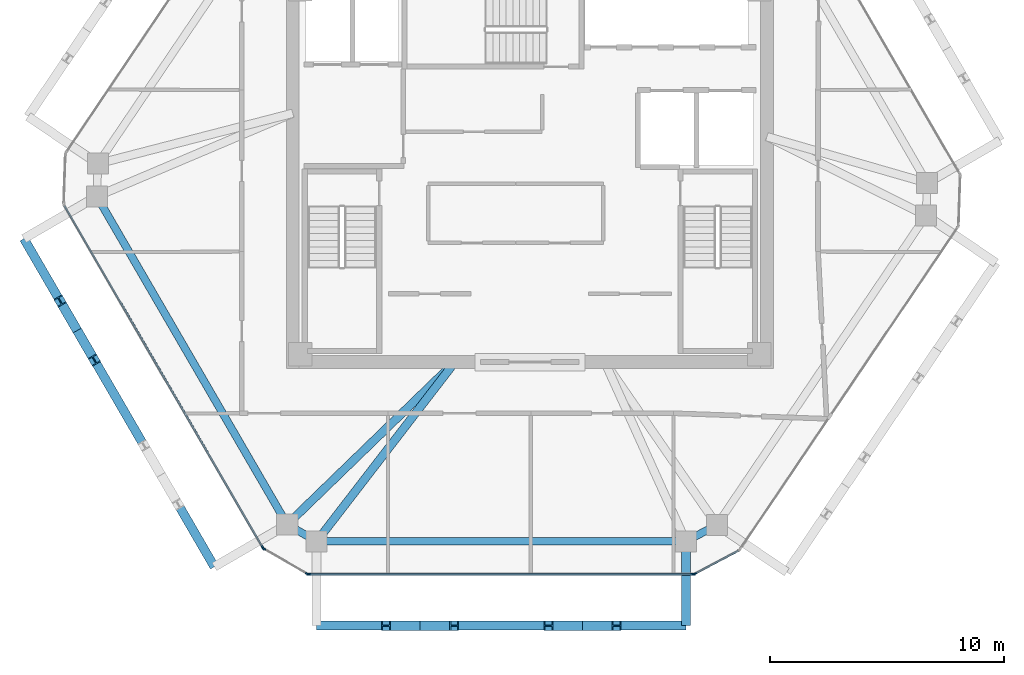
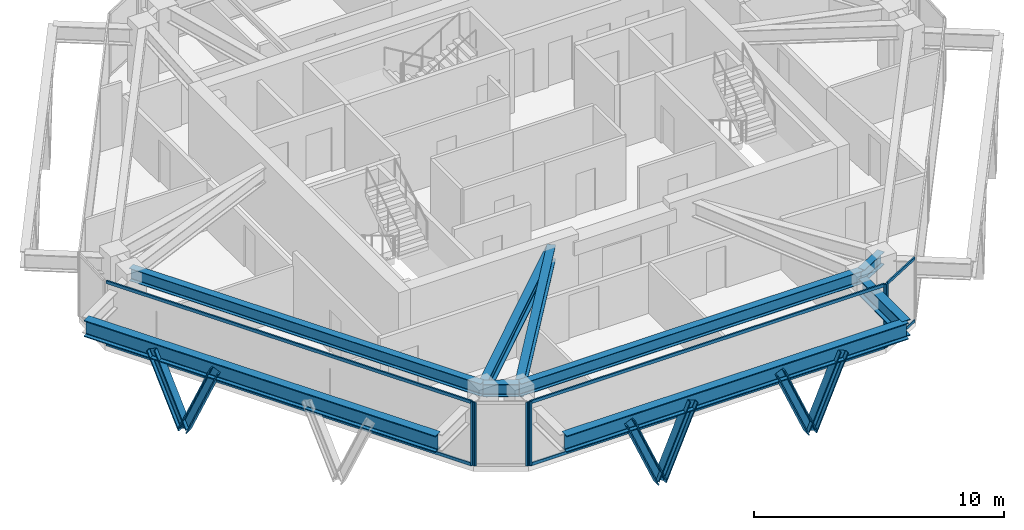
# One storey, part 2 of 11: 18 members, 9 beams, 4 elements without a shape of their own.
"""IFC4 building model written with IfcOpenShell, lengths in metres."""

import ifcopenshell
import ifcopenshell.guid

model = None  # the IFC model being written
_history = None  # IfcOwnerHistory: only IFC2X3 demands one
_inside = {}  # id of a spatial element -> (the spatial element, [elements in it])
_under = {}  # id of a project, library or spatial element -> (it, [spatial elements below it])
_declared = {}  # id of a project -> (the project, [libraries it declares])
_typed = {}  # id of a type object -> (the type object, [elements of that type])
_made_of = {}  # id of a material, layer set ... -> (it, [elements and type objects made of it])


def new_model(schema):
    """Start an empty IFC model of exactly this schema.

    Asked for "IFC4X3", IfcOpenShell would pick the latest addendum, in which some entities
    have other attributes; the version numbers below select the first issue.
    IFC2X3 requires an IfcOwnerHistory on every rooted entity: one is made here for all.
    """
    global model, _history
    if schema == "IFC4X3":
        model = ifcopenshell.file(schema_version=(4, 3, 0, 0))
    else:
        model = ifcopenshell.file(schema=schema)
    _inside.clear()
    _under.clear()
    _declared.clear()
    _typed.clear()
    _made_of.clear()
    _history = None
    if model.schema == "IFC2X3":
        org = make("IfcOrganization", Name="unknown")
        user = make(
            "IfcPersonAndOrganization",
            ThePerson=make("IfcPerson", FamilyName="unknown"),
            TheOrganization=org,
        )
        app = make(
            "IfcApplication",
            ApplicationDeveloper=org,
            Version="unknown",
            ApplicationFullName="unknown",
            ApplicationIdentifier="unknown",
        )
        _history = make(
            "IfcOwnerHistory",
            OwningUser=user,
            OwningApplication=app,
            ChangeAction="ADDED",
            CreationDate=0,
        )
    return model


def make(cls, **values):
    """One entity of the class cls with the attributes given. An attribute that is None is left unset."""
    return model.create_entity(
        cls, **{name: value for name, value in values.items() if value is not None}
    )


def rooted(cls, **values):
    """An entity with a GlobalId (a new one), such as an element, a storey or a relation."""
    return make(cls, GlobalId=ifcopenshell.guid.new(), OwnerHistory=_history, **values)


def si_unit(unit_type, name, prefix=None):
    """IfcSIUnit, for example si_unit("LENGTHUNIT", "METRE", prefix="MILLI")."""
    return make("IfcSIUnit", UnitType=unit_type, Prefix=prefix, Name=name)


def assignment(units):
    """IfcUnitAssignment: the units of a project."""
    return None if units is None else make("IfcUnitAssignment", Units=units)


def point(xyz):
    """IfcCartesianPoint."""
    return None if xyz is None else make("IfcCartesianPoint", Coordinates=xyz)


def direction(xyz):
    """IfcDirection."""
    return None if xyz is None else make("IfcDirection", DirectionRatios=xyz)


def frame(location, z_axis=None, x_axis=None):
    """IfcAxis2Placement3D, a coordinate frame: its origin and axes. An axis left out is left unset."""
    return make(
        "IfcAxis2Placement3D",
        Location=point(location),
        Axis=direction(z_axis),
        RefDirection=direction(x_axis),
    )


def frame_2d(location, x_axis=None):
    """IfcAxis2Placement2D, a coordinate frame in the plane: its origin and x axis."""
    return make(
        "IfcAxis2Placement2D", Location=point(location), RefDirection=direction(x_axis)
    )


def origin():
    """The frame at (0, 0, 0) with its axes left unset."""
    return frame((0.0, 0.0, 0.0))


def origin_2d():
    """The frame at (0, 0) in the plane with its x axis left unset."""
    return frame_2d((0.0, 0.0))


def place(relative_to, where):
    """IfcLocalPlacement: puts the frame where relative to a parent placement (None: the world)."""
    return make(
        "IfcLocalPlacement", PlacementRelTo=relative_to, RelativePlacement=where
    )


def context(
    kind, dimensions, precision=None, world=None, true_north=None, identifier=None
):
    """IfcGeometricRepresentationContext, for example the 3D "Model" context."""
    return make(
        "IfcGeometricRepresentationContext",
        ContextIdentifier=identifier,
        ContextType=kind,
        CoordinateSpaceDimension=dimensions,
        Precision=precision,
        WorldCoordinateSystem=world,
        TrueNorth=true_north,
    )


def subcontext(parent, identifier, kind, view, scale=None):
    """IfcGeometricRepresentationSubContext, for example "Body" below "Model"."""
    return make(
        "IfcGeometricRepresentationSubContext",
        ContextIdentifier=identifier,
        ContextType=kind,
        ParentContext=parent,
        TargetScale=scale,
        TargetView=view,
    )


def project(units=None, contexts=None):
    """IfcProject with its units and contexts."""
    return rooted(
        "IfcProject",
        Name="project",
        RepresentationContexts=contexts,
        UnitsInContext=assignment(units),
    )


def spatial(cls, under=None, at=None, **own):
    """A site, building, storey or space (cls), placed at a placement, below another one or the project."""
    s = rooted(cls, ObjectPlacement=at, **own)
    if under is not None:
        _under.setdefault(under.id(), (under, []))[1].append(s)
    return s


def profile(cls, at=None, kind="AREA", **sizes):
    """A parametric profile (cls). Its sizes go by their IFC names, for example OverallWidth=200.0."""
    return make(cls, ProfileType=kind, Position=at, **sizes)


def rectangle(**sizes):
    """IfcRectangleProfileDef."""
    return profile("IfcRectangleProfileDef", **sizes)


def i_section(**sizes):
    """IfcIShapeProfileDef."""
    return profile("IfcIShapeProfileDef", **sizes)


def extrude(swept, where, along, depth):
    """IfcExtrudedAreaSolid: the profile swept, set in the frame where, extruded along a direction by depth."""
    return make(
        "IfcExtrudedAreaSolid",
        SweptArea=swept,
        Position=where,
        ExtrudedDirection=direction(along),
        Depth=depth,
    )


def shape(context_of_items, identifier, shape_type, items):
    """IfcShapeRepresentation: the items that make up one representation, for example the "Body"."""
    return make(
        "IfcShapeRepresentation",
        ContextOfItems=context_of_items,
        RepresentationIdentifier=identifier,
        RepresentationType=shape_type,
        Items=items,
    )


def source(mapping_origin, context_of_items, identifier, shape_type, items):
    """IfcRepresentationMap: a shape defined once, which mapped items show again and again."""
    return make(
        "IfcRepresentationMap",
        MappingOrigin=mapping_origin,
        MappedRepresentation=shape(context_of_items, identifier, shape_type, items),
    )


def transform(
    local_origin,
    x_axis=None,
    y_axis=None,
    z_axis=None,
    scale=None,
    scale2=None,
    scale3=None,
    uniform=True,
):
    """IfcCartesianTransformationOperator3D, or its non-uniform kind. x_axis, y_axis, z_axis: its Axis1, 2, 3."""
    if uniform:
        return make(
            "IfcCartesianTransformationOperator3D",
            Axis1=direction(x_axis),
            Axis2=direction(y_axis),
            LocalOrigin=point(local_origin),
            Scale=scale,
            Axis3=direction(z_axis),
        )
    return make(
        "IfcCartesianTransformationOperator3DnonUniform",
        Axis1=direction(x_axis),
        Axis2=direction(y_axis),
        LocalOrigin=point(local_origin),
        Scale=scale,
        Axis3=direction(z_axis),
        Scale2=scale2,
        Scale3=scale3,
    )


def mapped(mapping_source, mapping_target):
    """IfcMappedItem: shows the shape of a source again, moved by a transform."""
    return make(
        "IfcMappedItem", MappingSource=mapping_source, MappingTarget=mapping_target
    )


def material(Name=None, Category=None):
    """IfcMaterial."""
    return make("IfcMaterial", Name=Name, Category=Category)


def layer(
    of_material, thickness, ventilated=None, Name=None, Category=None, Priority=None
):
    """IfcMaterialLayer: one layer of a wall or slab, of a material (None: an air gap)."""
    return make(
        "IfcMaterialLayer",
        Material=of_material,
        LayerThickness=thickness,
        IsVentilated=ventilated,
        Name=Name,
        Category=Category,
        Priority=Priority,
    )


def layer_set(layers, Name=None):
    """IfcMaterialLayerSet."""
    return make("IfcMaterialLayerSet", MaterialLayers=layers, LayerSetName=Name)


def material_profile(
    of_material, cross_section, Name=None, Category=None, Priority=None
):
    """IfcMaterialProfile: a cross section and its material."""
    return make(
        "IfcMaterialProfile",
        Name=Name,
        Material=of_material,
        Profile=cross_section,
        Priority=Priority,
        Category=Category,
    )


def profile_set(profiles, Name=None, composite=None):
    """IfcMaterialProfileSet."""
    return make(
        "IfcMaterialProfileSet",
        Name=Name,
        MaterialProfiles=profiles,
        CompositeProfile=composite,
    )


def made_of(thing, what):
    """Note that an element or type object is made of a material, layer set ...; save() writes the relation."""
    if what is not None:
        _made_of.setdefault(what.id(), (what, []))[1].append(thing)
    return thing


def type_object(cls, material=None, **own):
    """A type object (cls), such as IfcWallType, which elements share."""
    return made_of(rooted(cls, **own), material)


def type_shapes(of_type, sources):
    """Give a type object the sources (RepresentationMaps) that its elements show as mapped items."""
    of_type.RepresentationMaps = sources


def element(
    cls,
    number,
    at=None,
    inside=None,
    cuts=None,
    type_object=None,
    material=None,
    context=None,
    identifier="Body",
    shape_type=None,
    held_by="IfcProductDefinitionShape",
    body=None,
    shapes=None,
    **own,
):
    """One element of the class cls, such as IfcWall. Its Tag is "e" and its number.

    at: its placement. inside: the storey or other place that contains it. cuts: it is an
    opening in that element (IfcRelVoidsElement). A single representation is given by context,
    identifier, shape_type and body (its items); several are given by shapes. held_by: the class
    of the entity that holds the representations. save() writes the other relations.
    """
    e = rooted(cls, Tag="e%d" % number, ObjectPlacement=at, **own)
    if body is not None:
        shapes = [shape(context, identifier, shape_type, body)]
    if shapes is not None:
        e.Representation = make(held_by, Representations=shapes)
    if inside is not None:
        _inside.setdefault(inside.id(), (inside, []))[1].append(e)
    if cuts is not None:
        rooted(
            "IfcRelVoidsElement", RelatingBuildingElement=cuts, RelatedOpeningElement=e
        )
    if type_object is not None:
        _typed.setdefault(type_object.id(), (type_object, []))[1].append(e)
    return made_of(e, material)


def aggregate(whole, parts):
    """IfcRelAggregates: a whole, such as a stair, and the parts it consists of."""
    return rooted("IfcRelAggregates", RelatingObject=whole, RelatedObjects=parts)


def save(model, path):
    """Write the relations noted so far, then the file.

    IfcRelAggregates (storeys below a building ...), IfcRelContainedInSpatialStructure (elements
    in a storey), IfcRelDefinesByType, IfcRelAssociatesMaterial and IfcRelDeclares: one each for
    every whole, place, type object, material and project.
    """
    for whole, parts in _under.values():
        aggregate(whole, parts)
    for where, things in _inside.values():
        rooted(
            "IfcRelContainedInSpatialStructure",
            RelatedElements=things,
            RelatingStructure=where,
        )
    for kind, things in _typed.values():
        rooted("IfcRelDefinesByType", RelatedObjects=things, RelatingType=kind)
    for what, things in _made_of.values():
        rooted("IfcRelAssociatesMaterial", RelatedObjects=things, RelatingMaterial=what)
    for by, libraries in _declared.values():
        rooted("IfcRelDeclares", RelatingContext=by, RelatedDefinitions=libraries)
    model.write(path)


model = new_model("IFC4")

# Units and contexts
model_context = context("Model", 3, precision=1e-05, world=origin(), true_north=direction((0.0, 1.0)))
body_context = subcontext(model_context, "Body", "Model", "MODEL_VIEW")
ifc_project = project(units=[si_unit("LENGTHUNIT", "METRE"), si_unit("AREAUNIT", "SQUARE_METRE"), si_unit("VOLUMEUNIT", "CUBIC_METRE"), si_unit("PLANEANGLEUNIT", "RADIAN"), si_unit("MASSUNIT", "GRAM", prefix="KILO")], contexts=[model_context])

# Site, building, storey
site_placement = place(None, origin())
site = spatial("IfcSite", under=ifc_project, at=site_placement, CompositionType="ELEMENT")
building_placement = place(site_placement, origin())
building = spatial("IfcBuilding", under=site, at=building_placement, Name="Durnholm Broadcast Tower", CompositionType="ELEMENT")
storey_placement = place(building_placement, frame((0.0, 0.0, 264.89990234375)))
storey = spatial("IfcBuildingStorey", under=building, at=storey_placement, Name="L74", CompositionType="ELEMENT", Elevation=264.89990234375)

# Beams
ifc_material_1 = material(Name="Steel ASTM A992 Grade 50", Category="steel")
ifc_material_profile_1 = material_profile(ifc_material_1, i_section(OverallWidth=0.385009765625, OverallDepth=0.802978515625, WebThickness=0.023681640625, FlangeThickness=0.0419921875, FilletRadius=0.032958984375, at=origin_2d()), Name="W30X261")
ifc_profile_set_1 = profile_set([ifc_material_profile_1], Name="Steel ASTM A992 Grade 50")
beam_type_1 = type_object("IfcBeamType", Name="BM-EXO-TIE", PredefinedType="USERDEFINED", material=ifc_profile_set_1)
shared_shape_1 = source(origin(), body_context, "Body", "SweptSolid", [
    extrude(i_section(OverallWidth=0.385009765625, OverallDepth=0.802978515625, WebThickness=0.023681640625, FlangeThickness=0.0419921875, FilletRadius=0.032958984375, at=origin_2d()), origin(), (0.0, 0.0, 1.0), 3.4560546875),
])
beam_1_placement = place(storey_placement, frame((6.663818359375, -15.929931640625, 2.3486328125), z_axis=(0.0, -1.0, 0.0), x_axis=(1.0, 0.0, 0.0)))
element("IfcBeam", 1, at=beam_1_placement, inside=storey, type_object=beam_type_1, Name="L74 exoskeleton stand-off tie bracket F1.2", ObjectType="GIRDER", PredefinedType="USERDEFINED", context=body_context, shape_type="MappedRepresentation", body=[
    mapped(shared_shape_1, transform((0.0, 0.0, 0.0), x_axis=(1.0, 0.0, 0.0), y_axis=(0.0, 1.0, 0.0), z_axis=(0.0, 0.0, 1.0), scale=1.0)),
])
ifc_material_profile_2 = material_profile(ifc_material_1, i_section(OverallWidth=0.3251953125, OverallDepth=0.6162109375, WebThickness=0.013916015625, FlangeThickness=0.021484375, FilletRadius=0.02783203125, at=origin_2d()), Name="W24X117")
ifc_profile_set_2 = profile_set([ifc_material_profile_2], Name="Steel ASTM A992 Grade 50")
beam_type_2 = type_object("IfcBeamType", Name="STL-SP-W24X117", PredefinedType="SPANDREL", material=ifc_profile_set_2)
shared_shape_2 = source(origin(), body_context, "Body", "SweptSolid", [
    extrude(i_section(OverallWidth=0.3251953125, OverallDepth=0.6162109375, WebThickness=0.013916015625, FlangeThickness=0.021484375, FilletRadius=0.02783203125, at=origin_2d()), origin(), (0.0, 0.0, 1.0), 16.202880859375),
])
beam_2_placement = place(storey_placement, frame((-10.361328125, -15.061767578125, 2.777099609375), z_axis=(-0.501948303381, 0.864897624423, 0.0), x_axis=(-0.864897624423, -0.501948303381, 0.0)))
element("IfcBeam", 2, at=beam_2_placement, inside=storey, type_object=beam_type_2, Name="L74 perimeter spandrel girder 01", PredefinedType="SPANDREL", context=body_context, shape_type="MappedRepresentation", body=[
    mapped(shared_shape_2, transform((0.0, 0.0, 0.0), x_axis=(1.0, 0.0, 0.0), y_axis=(0.0, 1.0, 0.0), z_axis=(0.0, 0.0, 1.0), scale=1.0)),
])
shared_shape_3 = source(origin(), body_context, "Body", "SweptSolid", [
    extrude(i_section(OverallWidth=0.3251953125, OverallDepth=0.6162109375, WebThickness=0.013916015625, FlangeThickness=0.021484375, FilletRadius=0.02783203125, at=origin_2d()), origin(), (0.0, 0.0, 1.0), 1.502685546875),
])
beam_3_placement = place(storey_placement, frame((7.990966796875, -15.081298828125, 2.777099609375), z_axis=(-0.883241909673, -0.468917614296, 0.0), x_axis=(0.468917614296, -0.883241909673, 0.0)))
element("IfcBeam", 3, at=beam_3_placement, inside=storey, type_object=beam_type_2, Name="L74 perimeter spandrel girder 10", PredefinedType="SPANDREL", context=body_context, shape_type="MappedRepresentation", body=[
    mapped(shared_shape_3, transform((0.0, 0.0, 0.0), x_axis=(1.0, 0.0, 0.0), y_axis=(0.0, 1.0, 0.0), z_axis=(0.0, 0.0, 1.0), scale=1.0)),
])
shared_shape_4 = source(origin(), body_context, "Body", "SweptSolid", [
    extrude(i_section(OverallWidth=0.3251953125, OverallDepth=0.6162109375, WebThickness=0.013916015625, FlangeThickness=0.021484375, FilletRadius=0.02783203125, at=origin_2d()), origin(), (0.0, 0.0, 1.0), 15.767578125),
])
beam_4_placement = place(storey_placement, frame((6.663818359375, -15.785888671875, 2.777099609375), z_axis=(-1.0, 0.0, 0.0), x_axis=(0.0, -1.0, 0.0)))
element("IfcBeam", 4, at=beam_4_placement, inside=storey, type_object=beam_type_2, Name="L74 perimeter spandrel girder 11", PredefinedType="SPANDREL", context=body_context, shape_type="MappedRepresentation", body=[
    mapped(shared_shape_4, transform((0.0, 0.0, 0.0), x_axis=(1.0, 0.0, 0.0), y_axis=(0.0, 1.0, 0.0), z_axis=(0.0, 0.0, 1.0), scale=1.0)),
])
shared_shape_5 = source(origin(), body_context, "Body", "SweptSolid", [
    extrude(i_section(OverallWidth=0.3251953125, OverallDepth=0.6162109375, WebThickness=0.013916015625, FlangeThickness=0.021484375, FilletRadius=0.02783203125, at=origin_2d()), origin(), (0.0, 0.0, 1.0), 1.451171875),
])
type_shapes(beam_type_2, [shared_shape_2, shared_shape_3, shared_shape_4, shared_shape_5])
beam_5_placement = place(storey_placement, frame((-9.103759765625, -15.785888671875, 2.777099609375), z_axis=(-0.866602615509, 0.498998904601, 0.0), x_axis=(-0.498998904601, -0.866602615509, 0.0)))
element("IfcBeam", 5, at=beam_5_placement, inside=storey, type_object=beam_type_2, Name="L74 perimeter spandrel girder 12", PredefinedType="SPANDREL", context=body_context, shape_type="MappedRepresentation", body=[
    mapped(shared_shape_5, transform((0.0, 0.0, 0.0), x_axis=(1.0, 0.0, 0.0), y_axis=(0.0, 1.0, 0.0), z_axis=(0.0, 0.0, 1.0), scale=1.0)),
])
shared_shape_6 = source(origin(), body_context, "Body", "SweptSolid", [
    extrude(i_section(OverallWidth=0.385009765625, OverallDepth=0.802978515625, WebThickness=0.023681640625, FlangeThickness=0.0419921875, FilletRadius=0.032958984375, at=origin_2d()), origin(), (0.0, 0.0, 1.0), 15.767578125),
])
beam_6_placement = place(storey_placement, frame((-9.103759765625, -19.385986328125, 2.3486328125), z_axis=(1.0, 0.0, 0.0), x_axis=(0.0, 1.0, 0.0)))
element("IfcBeam", 6, at=beam_6_placement, inside=storey, type_object=beam_type_1, Name="L74 exoskeleton collector spandrel F1", PredefinedType="SPANDREL", context=body_context, shape_type="MappedRepresentation", body=[
    mapped(shared_shape_6, transform((0.0, 0.0, 0.0), x_axis=(1.0, 0.0, 0.0), y_axis=(0.0, 1.0, 0.0), z_axis=(0.0, 0.0, 1.0), scale=1.0)),
])
shared_shape_7 = source(origin(), body_context, "Body", "SweptSolid", [
    extrude(i_section(OverallWidth=0.385009765625, OverallDepth=0.802978515625, WebThickness=0.023681640625, FlangeThickness=0.0419921875, FilletRadius=0.032958984375, at=origin_2d()), origin(), (0.0, 0.0, 1.0), 16.20263671875),
])
type_shapes(beam_type_1, [shared_shape_1, shared_shape_6, shared_shape_7])
beam_7_placement = place(storey_placement, frame((-21.60791015625, -2.85498046875, 2.3486328125), z_axis=(0.501943573333, -0.864900369516, 0.0), x_axis=(0.864900369516, 0.501943573333, 0.0)))
element("IfcBeam", 7, at=beam_7_placement, inside=storey, type_object=beam_type_1, Name="L74 exoskeleton collector spandrel F6", PredefinedType="SPANDREL", context=body_context, shape_type="MappedRepresentation", body=[
    mapped(shared_shape_7, transform((0.0, 0.0, 0.0), x_axis=(1.0, 0.0, 0.0), y_axis=(0.0, 1.0, 0.0), z_axis=(0.0, 0.0, 1.0), scale=1.0)),
])
ifc_material_profile_3 = material_profile(ifc_material_1, i_section(OverallWidth=0.3564453125, OverallDepth=0.713623046875, WebThickness=0.01904296875, FlangeThickness=0.033935546875, FilletRadius=0.030517578125, at=origin_2d()), Name="W27X194")
ifc_profile_set_3 = profile_set([ifc_material_profile_3], Name="Steel ASTM A992 Grade 50")
beam_type_3 = type_object("IfcBeamType", Name="STL-GR-W27X194", PredefinedType="USERDEFINED", material=ifc_profile_set_3)
shared_shape_8 = source(origin(), body_context, "Body", "SweptSolid", [
    extrude(i_section(OverallWidth=0.3564453125, OverallDepth=0.713623046875, WebThickness=0.01904296875, FlangeThickness=0.033935546875, FilletRadius=0.030517578125, at=origin_2d()), origin(), (0.0, 0.0, 1.0), 9.97021484375),
])
beam_8_placement = place(storey_placement, frame((-3.199951171875, -8.125, 2.728271484375), z_axis=(-0.718281140352, -0.695752975857, 0.0), x_axis=(0.695752975857, -0.718281140352, 0.0)))
element("IfcBeam", 8, at=beam_8_placement, inside=storey, type_object=beam_type_3, Name="L74 radial primary floor girder 01", ObjectType="GIRDER", PredefinedType="USERDEFINED", context=body_context, shape_type="MappedRepresentation", body=[
    mapped(shared_shape_8, transform((0.0, 0.0, 0.0), x_axis=(1.0, 0.0, 0.0), y_axis=(0.0, 1.0, 0.0), z_axis=(0.0, 0.0, 1.0), scale=1.0)),
])
shared_shape_9 = source(origin(), body_context, "Body", "SweptSolid", [
    extrude(i_section(OverallWidth=0.3564453125, OverallDepth=0.713623046875, WebThickness=0.01904296875, FlangeThickness=0.033935546875, FilletRadius=0.030517578125, at=origin_2d()), origin(), (0.0, 0.0, 1.0), 9.671875),
])
type_shapes(beam_type_3, [shared_shape_8, shared_shape_9])
beam_9_placement = place(storey_placement, frame((-3.199951171875, -8.125, 2.728271484375), z_axis=(-0.610413181287, -0.792083169945, 0.0), x_axis=(0.792083169945, -0.610413181287, 0.0)))
element("IfcBeam", 9, at=beam_9_placement, inside=storey, type_object=beam_type_3, Name="L74 radial primary floor girder 12", ObjectType="GIRDER", PredefinedType="USERDEFINED", context=body_context, shape_type="MappedRepresentation", body=[
    mapped(shared_shape_9, transform((0.0, 0.0, 0.0), x_axis=(1.0, 0.0, 0.0), y_axis=(0.0, 1.0, 0.0), z_axis=(0.0, 0.0, 1.0), scale=1.0)),
])

# Members
ifc_material_2 = material(Name="Steel ASTM A913 Grade 65", Category="steel")
ifc_material_profile_4 = material_profile(ifc_material_2, i_section(OverallWidth=0.40625, OverallDepth=0.416015625, WebThickness=0.02978515625, FlangeThickness=0.048095703125, FilletRadius=0.030517578125, at=origin_2d()), Name="W14X257")
ifc_profile_set_4 = profile_set([ifc_material_profile_4], Name="Steel ASTM A913 Grade 65")
member_type_1 = type_object("IfcMemberType", Name="STL-DG-W14X257", PredefinedType="BRACE", material=ifc_profile_set_4)
shared_shape_10 = source(origin(), body_context, "Body", "SweptSolid", [
    extrude(i_section(OverallWidth=0.40625, OverallDepth=0.416015625, WebThickness=0.02978515625, FlangeThickness=0.048095703125, FilletRadius=0.030517578125, at=origin_2d()), origin(), (0.0, 0.0, 1.0), 3.699462890625),
])
member_1_placement = place(storey_placement, frame((-4.688720703125, -19.385986328125, -1.051513671875), z_axis=(0.394102474633, 0.0, 0.919066504388), x_axis=(0.0, 1.0, 0.0)))
element("IfcMember", 10, at=member_1_placement, inside=storey, type_object=member_type_1, Name="L74 stand-off diagrid brace F1.D1.2", PredefinedType="BRACE", context=body_context, shape_type="MappedRepresentation", body=[
    mapped(shared_shape_10, transform((0.0, 0.0, 0.0), x_axis=(1.0, 0.0, 0.0), y_axis=(0.0, 1.0, 0.0), z_axis=(0.0, 0.0, 1.0), scale=1.0)),
])
shared_shape_11 = source(origin(), body_context, "Body", "SweptSolid", [
    extrude(i_section(OverallWidth=0.40625, OverallDepth=0.416015625, WebThickness=0.02978515625, FlangeThickness=0.048095703125, FilletRadius=0.030517578125, at=origin_2d()), origin(), (0.0, 0.0, 1.0), 3.69970703125),
])
type_shapes(member_type_1, [shared_shape_10, shared_shape_11])
for number, where, z_axis, x_axis, name in (
    (11, (-4.688720703125, -19.385986328125, -1.051513671875), (-0.394158214547, 0.0, 0.919042600702), (0.0, -1.0, 0.0), "L74 stand-off diagrid brace F1.D1.1"),
    (12, (2.248779296875, -19.385986328125, -1.051513671875), (-0.394158214547, 0.0, 0.919042600702), (0.0, -1.0, 0.0), "L74 stand-off diagrid brace F1.D2.1"),
    (13, (2.248779296875, -19.385986328125, -1.051513671875), (0.394158214547, 0.0, 0.919042600702), (0.0, 1.0, 0.0), "L74 stand-off diagrid brace F1.D2.2"),
    (14, (-19.330810546875, -6.77880859375, -1.051513671875), (-0.197775087187, 0.340909609745, 0.919056936687), (-0.864978863669, -0.501808295473, 0.0), "L74 stand-off diagrid brace F6.D1.1"),
    (15, (-19.330810546875, -6.77880859375, -1.051513671875), (0.197901901785, -0.340900708443, 0.9190329397), (0.864833498681, 0.50205878098, 0.0), "L74 stand-off diagrid brace F6.D1.2"),
):
    element("IfcMember", number, at=place(storey_placement, frame(where, z_axis=z_axis, x_axis=x_axis)), inside=storey, type_object=member_type_1, Name=name, PredefinedType="BRACE", context=body_context, shape_type="MappedRepresentation", body=[
        mapped(shared_shape_11, transform((0.0, 0.0, 0.0), x_axis=(1.0, 0.0, 0.0), y_axis=(0.0, 1.0, 0.0), z_axis=(0.0, 0.0, 1.0), scale=1.0)),
    ])

# Curtain wall, members
ifc_material_3 = material(Name="Aluminium and Solar Control IGU", Category="aluminium")
ifc_layer_1 = layer(ifc_material_3, 0.1650390625)
ifc_layer_set_1 = layer_set([ifc_layer_1], Name="Aluminium and Solar Control IGU")
curtain_wall_type_1 = type_object("IfcCurtainWallType", Name="CW-SYS-5", PredefinedType="NOTDEFINED", material=ifc_layer_set_1)
curtain_wall_1_placement = place(storey_placement, origin())
curtain_wall_1 = element("IfcCurtainWall", 16, at=curtain_wall_1_placement, inside=storey, type_object=curtain_wall_type_1, Name="L74 curtain wall CW-CORNER CW-L74-CRN-09", PredefinedType="NOTDEFINED")
ifc_material_4 = material(Name="Aluminium 6063-T6", Category="aluminium")
ifc_material_profile_5 = material_profile(ifc_material_4, rectangle(XDim=0.06494140625, YDim=0.1298828125, at=origin_2d()), Name="CWT65X130")
ifc_profile_set_5 = profile_set([ifc_material_profile_5], Name="Aluminium 6063-T6")
member_type_2 = type_object("IfcMemberType", Name="CW-SYS-5-TRN", PredefinedType="USERDEFINED", material=ifc_profile_set_5)
shared_shape_12 = source(origin(), body_context, "Body", "SweptSolid", [
    extrude(rectangle(XDim=0.06494140625, YDim=0.1298828125, at=origin_2d()), origin(), (0.0, 0.0, 1.0), 2.070068359375),
])
type_shapes(member_type_2, [shared_shape_12])
member_2_placement = place(storey_placement, frame((8.89794921875, -16.1845703125, 0.03271484375), z_axis=(-0.883164581026, -0.469063239682, 0.0), x_axis=(0.469063239682, -0.883164581026, 0.0)))
member_2 = element("IfcMember", 17, at=member_2_placement, type_object=member_type_2, Name="CW-CORNER transom 1.1", ObjectType="TRANSOM", PredefinedType="USERDEFINED", context=body_context, shape_type="MappedRepresentation", body=[
    mapped(shared_shape_12, transform((0.0, 0.0, 0.0), x_axis=(1.0, 0.0, 0.0), y_axis=(0.0, 1.0, 0.0), z_axis=(0.0, 0.0, 1.0), scale=1.0)),
])
member_3_placement = place(storey_placement, frame((8.89794921875, -16.1845703125, 3.067626953125), z_axis=(-0.883164581026, -0.469063239682, 0.0), x_axis=(0.469063239682, -0.883164581026, 0.0)))
member_3 = element("IfcMember", 18, at=member_3_placement, type_object=member_type_2, Name="CW-CORNER transom 1.2", ObjectType="TRANSOM", PredefinedType="USERDEFINED", context=body_context, shape_type="MappedRepresentation", body=[
    mapped(shared_shape_12, transform((0.0, 0.0, 0.0), x_axis=(1.0, 0.0, 0.0), y_axis=(0.0, 1.0, 0.0), z_axis=(0.0, 0.0, 1.0), scale=1.0)),
])

ifc_layer_2 = layer(ifc_material_3, 0.18994140625)
ifc_layer_set_2 = layer_set([ifc_layer_2], Name="Aluminium and Solar Control IGU")
curtain_wall_type_2 = type_object("IfcCurtainWallType", Name="CW-SYS-4", PredefinedType="NOTDEFINED", material=ifc_layer_set_2)
curtain_wall_2_placement = place(storey_placement, origin())
curtain_wall_2 = element("IfcCurtainWall", 19, at=curtain_wall_2_placement, inside=storey, type_object=curtain_wall_type_2, Name="L74 curtain wall CW-Z34-VIS CW-L74-F10", PredefinedType="NOTDEFINED")
ifc_material_profile_6 = material_profile(ifc_material_4, rectangle(XDim=0.070068359375, YDim=0.14990234375, at=origin_2d()), Name="CWT70X150")
ifc_profile_set_6 = profile_set([ifc_material_profile_6], Name="Aluminium 6063-T6")
member_type_3 = type_object("IfcMemberType", Name="CW-SYS-4-TRN", PredefinedType="USERDEFINED", material=ifc_profile_set_6)
shared_shape_13 = source(origin(), body_context, "Body", "SweptSolid", [
    extrude(rectangle(XDim=0.070068359375, YDim=0.14990234375, at=origin_2d()), origin(), (0.0, 0.0, 1.0), 16.350341796875),
])
member_4_placement = place(storey_placement, frame((6.9423828125, -17.18603515625, 0.03515625), z_axis=(-1.0, 0.0, 0.0), x_axis=(0.0, -1.0, 0.0)))
member_4 = element("IfcMember", 20, at=member_4_placement, type_object=member_type_3, Name="CW-Z34-VIS transom 1.1", ObjectType="TRANSOM", PredefinedType="USERDEFINED", context=body_context, shape_type="MappedRepresentation", body=[
    mapped(shared_shape_13, transform((0.0, 0.0, 0.0), x_axis=(1.0, 0.0, 0.0), y_axis=(0.0, 1.0, 0.0), z_axis=(0.0, 0.0, 1.0), scale=1.0)),
])
member_5_placement = place(storey_placement, frame((6.9423828125, -17.18603515625, 3.065185546875), z_axis=(-1.0, 0.0, 0.0), x_axis=(0.0, -1.0, 0.0)))
member_5 = element("IfcMember", 21, at=member_5_placement, type_object=member_type_3, Name="CW-Z34-VIS transom 1.2", ObjectType="TRANSOM", PredefinedType="USERDEFINED", context=body_context, shape_type="MappedRepresentation", body=[
    mapped(shared_shape_13, transform((0.0, 0.0, 0.0), x_axis=(1.0, 0.0, 0.0), y_axis=(0.0, 1.0, 0.0), z_axis=(0.0, 0.0, 1.0), scale=1.0)),
])

curtain_wall_3_placement = place(storey_placement, origin())
curtain_wall_3 = element("IfcCurtainWall", 22, at=curtain_wall_3_placement, inside=storey, type_object=curtain_wall_type_2, Name="L74 curtain wall CW-Z34-VIS CW-L74-F12", PredefinedType="NOTDEFINED")
shared_shape_14 = source(origin(), body_context, "Body", "SweptSolid", [
    extrude(rectangle(XDim=0.070068359375, YDim=0.14990234375, at=origin_2d()), origin(), (0.0, 0.0, 1.0), 16.83984375),
])
type_shapes(member_type_3, [shared_shape_13, shared_shape_14])
member_6_placement = place(storey_placement, frame((-11.41943359375, -16.027587890625, 0.03515625), z_axis=(-0.501945239029, 0.86489940283, 0.0), x_axis=(-0.86489940283, -0.501945239029, 0.0)))
member_6 = element("IfcMember", 23, at=member_6_placement, type_object=member_type_3, Name="CW-Z34-VIS transom 1.1", ObjectType="TRANSOM", PredefinedType="USERDEFINED", context=body_context, shape_type="MappedRepresentation", body=[
    mapped(shared_shape_14, transform((0.0, 0.0, 0.0), x_axis=(1.0, 0.0, 0.0), y_axis=(0.0, 1.0, 0.0), z_axis=(0.0, 0.0, 1.0), scale=1.0)),
])
member_7_placement = place(storey_placement, frame((-11.41943359375, -16.027587890625, 3.065185546875), z_axis=(-0.501945239029, 0.86489940283, 0.0), x_axis=(-0.86489940283, -0.501945239029, 0.0)))
member_7 = element("IfcMember", 24, at=member_7_placement, type_object=member_type_3, Name="CW-Z34-VIS transom 1.2", ObjectType="TRANSOM", PredefinedType="USERDEFINED", context=body_context, shape_type="MappedRepresentation", body=[
    mapped(shared_shape_14, transform((0.0, 0.0, 0.0), x_axis=(1.0, 0.0, 0.0), y_axis=(0.0, 1.0, 0.0), z_axis=(0.0, 0.0, 1.0), scale=1.0)),
])

# Member
ifc_material_profile_7 = material_profile(ifc_material_4, rectangle(XDim=0.06494140625, YDim=0.1650390625, at=origin_2d()), Name="CWM65X165")
ifc_profile_set_7 = profile_set([ifc_material_profile_7], Name="Aluminium 6063-T6")
member_type_4 = type_object("IfcMemberType", Name="CW-SYS-5-MUL", PredefinedType="MULLION", material=ifc_profile_set_7)
shared_shape_15 = source(origin(), body_context, "Body", "SweptSolid", [
    extrude(rectangle(XDim=0.06494140625, YDim=0.1650390625, at=origin_2d()), origin(), (0.0, 0.0, 1.0), 3.10009765625),
])
type_shapes(member_type_4, [shared_shape_15])
member_8_placement = place(storey_placement, frame((7.041015625, -17.170654296875, 0.0), z_axis=(0.0, 0.0, 1.0), x_axis=(0.469006771575, -0.883194569853, 0.0)))
member_8 = element("IfcMember", 25, at=member_8_placement, type_object=member_type_4, Name="CW-CORNER mullion 2", PredefinedType="MULLION", context=body_context, shape_type="MappedRepresentation", body=[
    mapped(shared_shape_15, transform((0.0, 0.0, 0.0), x_axis=(1.0, 0.0, 0.0), y_axis=(0.0, 1.0, 0.0), z_axis=(0.0, 0.0, 1.0), scale=1.0)),
])

aggregate(curtain_wall_1, [member_8, member_2, member_3])

# Curtain wall, members
curtain_wall_4_placement = place(storey_placement, origin())
curtain_wall_4 = element("IfcCurtainWall", 26, at=curtain_wall_4_placement, inside=storey, type_object=curtain_wall_type_1, Name="L74 curtain wall CW-CORNER CW-L74-CRN-11", PredefinedType="NOTDEFINED")
member_9_placement = place(storey_placement, frame((-9.506103515625, -17.169677734375, 0.0), z_axis=(0.0, 0.0, 1.0), x_axis=(-0.499058582333, -0.866568249707, 0.0)))
member_9 = element("IfcMember", 27, at=member_9_placement, type_object=member_type_4, Name="CW-CORNER mullion 1", PredefinedType="MULLION", context=body_context, shape_type="MappedRepresentation", body=[
    mapped(shared_shape_15, transform((0.0, 0.0, 0.0), x_axis=(1.0, 0.0, 0.0), y_axis=(0.0, 1.0, 0.0), z_axis=(0.0, 0.0, 1.0), scale=1.0)),
])
member_10_placement = place(storey_placement, frame((-11.356201171875, -16.104248046875, 0.0), z_axis=(0.0, 0.0, 1.0), x_axis=(-0.499058582333, -0.866568249707, 0.0)))
member_10 = element("IfcMember", 28, at=member_10_placement, type_object=member_type_4, Name="CW-CORNER mullion 2", PredefinedType="MULLION", context=body_context, shape_type="MappedRepresentation", body=[
    mapped(shared_shape_15, transform((0.0, 0.0, 0.0), x_axis=(1.0, 0.0, 0.0), y_axis=(0.0, 1.0, 0.0), z_axis=(0.0, 0.0, 1.0), scale=1.0)),
])
aggregate(curtain_wall_4, [member_9, member_10])

# Member
ifc_material_profile_8 = material_profile(ifc_material_4, rectangle(XDim=0.070068359375, YDim=0.18994140625, at=origin_2d()), Name="CWM70X190")
ifc_profile_set_8 = profile_set([ifc_material_profile_8], Name="Aluminium 6063-T6")
member_type_5 = type_object("IfcMemberType", Name="CW-SYS-4-MUL", PredefinedType="MULLION", material=ifc_profile_set_8)
shared_shape_16 = source(origin(), body_context, "Body", "SweptSolid", [
    extrude(rectangle(XDim=0.070068359375, YDim=0.18994140625, at=origin_2d()), origin(), (0.0, 0.0, 1.0), 3.10009765625),
])
type_shapes(member_type_5, [shared_shape_16])
member_11_placement = place(storey_placement, frame((6.977294921875, -17.18603515625, 0.0), z_axis=(0.0, 0.0, 1.0), x_axis=(0.0, -1.0, 0.0)))
member_11 = element("IfcMember", 29, at=member_11_placement, type_object=member_type_5, Name="CW-Z34-VIS mullion 1", PredefinedType="MULLION", context=body_context, shape_type="MappedRepresentation", body=[
    mapped(shared_shape_16, transform((0.0, 0.0, 0.0), x_axis=(1.0, 0.0, 0.0), y_axis=(0.0, 1.0, 0.0), z_axis=(0.0, 0.0, 1.0), scale=1.0)),
])

member_12_placement = place(storey_placement, frame((-9.443115234375, -17.18603515625, 0.0), z_axis=(0.0, 0.0, 1.0), x_axis=(0.0, -1.0, 0.0)))
member_12 = element("IfcMember", 30, at=member_12_placement, type_object=member_type_5, Name="CW-Z34-VIS mullion 2", PredefinedType="MULLION", context=body_context, shape_type="MappedRepresentation", body=[
    mapped(shared_shape_16, transform((0.0, 0.0, 0.0), x_axis=(1.0, 0.0, 0.0), y_axis=(0.0, 1.0, 0.0), z_axis=(0.0, 0.0, 1.0), scale=1.0)),
])

aggregate(curtain_wall_2, [member_11, member_12, member_4, member_5])

member_13_placement = place(storey_placement, frame((-11.40185546875, -16.057861328125, 0.0), z_axis=(0.0, 0.0, 1.0), x_axis=(-0.864899883824, -0.50194441023, 0.0)))
member_13 = element("IfcMember", 31, at=member_13_placement, type_object=member_type_5, Name="CW-Z34-VIS mullion 1", PredefinedType="MULLION", context=body_context, shape_type="MappedRepresentation", body=[
    mapped(shared_shape_16, transform((0.0, 0.0, 0.0), x_axis=(1.0, 0.0, 0.0), y_axis=(0.0, 1.0, 0.0), z_axis=(0.0, 0.0, 1.0), scale=1.0)),
])

aggregate(curtain_wall_3, [member_13, member_6, member_7])

save(model, "model.ifc")
